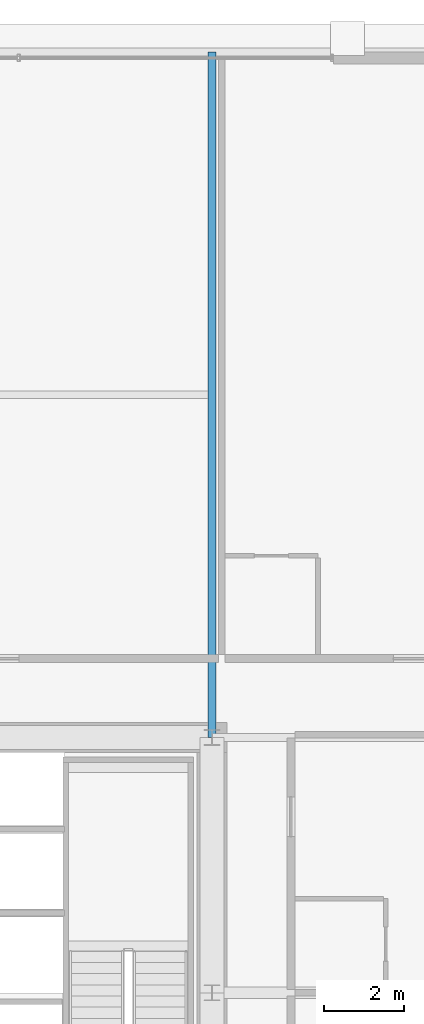
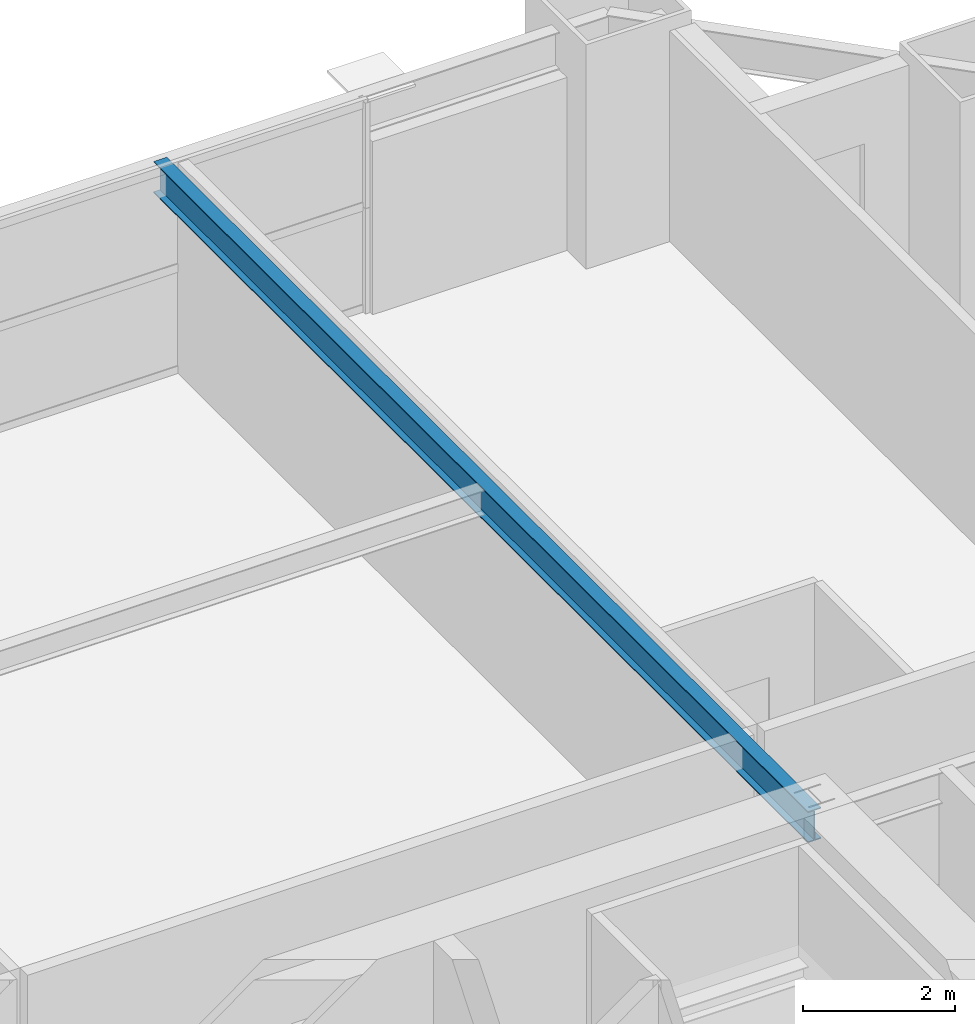
# One storey, part 28 of 39: 1 beam.
"""IFC4 building model written with IfcOpenShell, lengths in metres."""

from ifc_helpers import new_model, si_unit, direction, frame, origin, origin_2d, place, context, subcontext, project, spatial, i_section, extrude, source, transform, mapped, material, material_profile, profile_set, type_object, element, save


model = new_model("IFC4")

# Units and contexts
model_context = context("Model", 3, precision=1e-05, world=origin(), true_north=direction((0.0, 1.0)))
body_context = subcontext(model_context, "Body", "Model", "MODEL_VIEW")
ifc_project = project(units=[si_unit("LENGTHUNIT", "METRE"), si_unit("AREAUNIT", "SQUARE_METRE"), si_unit("VOLUMEUNIT", "CUBIC_METRE"), si_unit("PLANEANGLEUNIT", "RADIAN"), si_unit("MASSUNIT", "GRAM", prefix="KILO"), si_unit("THERMODYNAMICTEMPERATUREUNIT", "KELVIN"), si_unit("POWERUNIT", "WATT")], contexts=[model_context])

# Site, building, storey
site_placement = place(None, origin())
site = spatial("IfcSite", under=ifc_project, at=site_placement, CompositionType="ELEMENT")
building_placement = place(site_placement, origin())
building = spatial("IfcBuilding", under=site, at=building_placement, Name="Yuzanri Waterfront Tower", CompositionType="ELEMENT")
storey_placement = place(building_placement, frame((0.0, 0.0, 134.39990234375)))
storey = spatial("IfcBuildingStorey", under=building, at=storey_placement, Name="L35", CompositionType="ELEMENT", Elevation=134.39990234375)

# Beam
ifc_material = material(Name="Steel Q355B", Category="steel")
ifc_material_profile = material_profile(ifc_material, i_section(OverallWidth=0.199951171875, OverallDepth=0.5, WebThickness=0.010009765625, FlangeThickness=0.01611328125, at=origin_2d()), Name="HN 500x200x10x16")
ifc_profile_set = profile_set([ifc_material_profile], Name="Steel Q355B")
beam_type = type_object("IfcBeamType", Name="Secondary Floor Beam Q355B HN 500x200", PredefinedType="BEAM", material=ifc_profile_set)
shared_shape = source(origin(), body_context, "Body", "SweptSolid", [
    extrude(i_section(OverallWidth=0.199951171875, OverallDepth=0.5, WebThickness=0.010009765625, FlangeThickness=0.01611328125, at=origin_2d()), origin(), (0.0, 0.0, 1.0), 17.199951171875),
])
beam_placement = place(storey_placement, frame((50.199951171875, 32.199951171875, 3.130126953125), z_axis=(0.0, 1.0, 0.0), x_axis=(-1.0, 0.0, 0.0)))
element("IfcBeam", 1, at=beam_placement, inside=storey, type_object=beam_type, Name="L35 North-East Core Line Beam", PredefinedType="BEAM", context=body_context, shape_type="MappedRepresentation", body=[
    mapped(shared_shape, transform((0.0, 0.0, 0.0), scale=1.0)),
])

save(model, "model.ifc")
